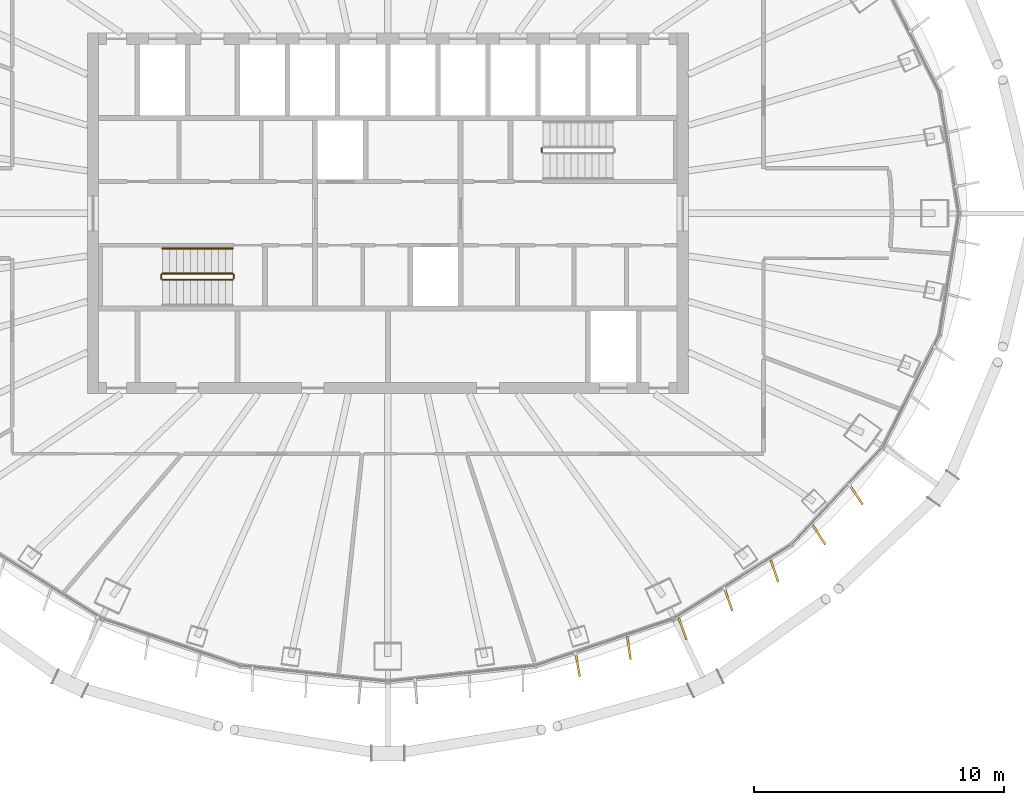
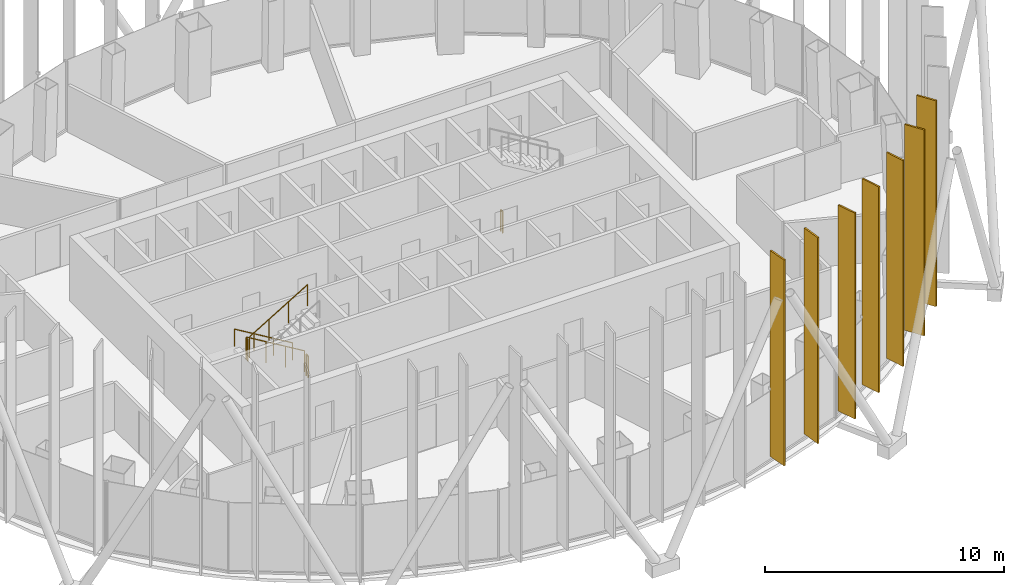
# One storey, part 15 of 17: 7 shading devices, 6 railings.
"""IFC4 building model written with IfcOpenShell, lengths in metres."""

import ifcopenshell
import ifcopenshell.guid

model = None  # the IFC model being written
_history = None  # IfcOwnerHistory: only IFC2X3 demands one
_inside = {}  # id of a spatial element -> (the spatial element, [elements in it])
_under = {}  # id of a project, library or spatial element -> (it, [spatial elements below it])
_declared = {}  # id of a project -> (the project, [libraries it declares])
_typed = {}  # id of a type object -> (the type object, [elements of that type])
_made_of = {}  # id of a material, layer set ... -> (it, [elements and type objects made of it])


def new_model(schema):
    """Start an empty IFC model of exactly this schema.

    Asked for "IFC4X3", IfcOpenShell would pick the latest addendum, in which some entities
    have other attributes; the version numbers below select the first issue.
    IFC2X3 requires an IfcOwnerHistory on every rooted entity: one is made here for all.
    """
    global model, _history
    if schema == "IFC4X3":
        model = ifcopenshell.file(schema_version=(4, 3, 0, 0))
    else:
        model = ifcopenshell.file(schema=schema)
    _inside.clear()
    _under.clear()
    _declared.clear()
    _typed.clear()
    _made_of.clear()
    _history = None
    if model.schema == "IFC2X3":
        org = make("IfcOrganization", Name="unknown")
        user = make(
            "IfcPersonAndOrganization",
            ThePerson=make("IfcPerson", FamilyName="unknown"),
            TheOrganization=org,
        )
        app = make(
            "IfcApplication",
            ApplicationDeveloper=org,
            Version="unknown",
            ApplicationFullName="unknown",
            ApplicationIdentifier="unknown",
        )
        _history = make(
            "IfcOwnerHistory",
            OwningUser=user,
            OwningApplication=app,
            ChangeAction="ADDED",
            CreationDate=0,
        )
    return model


def make(cls, **values):
    """One entity of the class cls with the attributes given. An attribute that is None is left unset."""
    return model.create_entity(
        cls, **{name: value for name, value in values.items() if value is not None}
    )


def rooted(cls, **values):
    """An entity with a GlobalId (a new one), such as an element, a storey or a relation."""
    return make(cls, GlobalId=ifcopenshell.guid.new(), OwnerHistory=_history, **values)


def si_unit(unit_type, name, prefix=None):
    """IfcSIUnit, for example si_unit("LENGTHUNIT", "METRE", prefix="MILLI")."""
    return make("IfcSIUnit", UnitType=unit_type, Prefix=prefix, Name=name)


def assignment(units):
    """IfcUnitAssignment: the units of a project."""
    return None if units is None else make("IfcUnitAssignment", Units=units)


def point(xyz):
    """IfcCartesianPoint."""
    return None if xyz is None else make("IfcCartesianPoint", Coordinates=xyz)


def direction(xyz):
    """IfcDirection."""
    return None if xyz is None else make("IfcDirection", DirectionRatios=xyz)


def frame(location, z_axis=None, x_axis=None):
    """IfcAxis2Placement3D, a coordinate frame: its origin and axes. An axis left out is left unset."""
    return make(
        "IfcAxis2Placement3D",
        Location=point(location),
        Axis=direction(z_axis),
        RefDirection=direction(x_axis),
    )


def frame_2d(location, x_axis=None):
    """IfcAxis2Placement2D, a coordinate frame in the plane: its origin and x axis."""
    return make(
        "IfcAxis2Placement2D", Location=point(location), RefDirection=direction(x_axis)
    )


def origin():
    """The frame at (0, 0, 0) with its axes left unset."""
    return frame((0.0, 0.0, 0.0))


def origin_2d():
    """The frame at (0, 0) in the plane with its x axis left unset."""
    return frame_2d((0.0, 0.0))


def place(relative_to, where):
    """IfcLocalPlacement: puts the frame where relative to a parent placement (None: the world)."""
    return make(
        "IfcLocalPlacement", PlacementRelTo=relative_to, RelativePlacement=where
    )


def context(
    kind, dimensions, precision=None, world=None, true_north=None, identifier=None
):
    """IfcGeometricRepresentationContext, for example the 3D "Model" context."""
    return make(
        "IfcGeometricRepresentationContext",
        ContextIdentifier=identifier,
        ContextType=kind,
        CoordinateSpaceDimension=dimensions,
        Precision=precision,
        WorldCoordinateSystem=world,
        TrueNorth=true_north,
    )


def subcontext(parent, identifier, kind, view, scale=None):
    """IfcGeometricRepresentationSubContext, for example "Body" below "Model"."""
    return make(
        "IfcGeometricRepresentationSubContext",
        ContextIdentifier=identifier,
        ContextType=kind,
        ParentContext=parent,
        TargetScale=scale,
        TargetView=view,
    )


def project(units=None, contexts=None):
    """IfcProject with its units and contexts."""
    return rooted(
        "IfcProject",
        Name="project",
        RepresentationContexts=contexts,
        UnitsInContext=assignment(units),
    )


def spatial(cls, under=None, at=None, **own):
    """A site, building, storey or space (cls), placed at a placement, below another one or the project."""
    s = rooted(cls, ObjectPlacement=at, **own)
    if under is not None:
        _under.setdefault(under.id(), (under, []))[1].append(s)
    return s


def profile(cls, at=None, kind="AREA", **sizes):
    """A parametric profile (cls). Its sizes go by their IFC names, for example OverallWidth=200.0."""
    return make(cls, ProfileType=kind, Position=at, **sizes)


def rectangle(**sizes):
    """IfcRectangleProfileDef."""
    return profile("IfcRectangleProfileDef", **sizes)


def circle(**sizes):
    """IfcCircleProfileDef."""
    return profile("IfcCircleProfileDef", **sizes)


def extrude(swept, where, along, depth):
    """IfcExtrudedAreaSolid: the profile swept, set in the frame where, extruded along a direction by depth."""
    return make(
        "IfcExtrudedAreaSolid",
        SweptArea=swept,
        Position=where,
        ExtrudedDirection=direction(along),
        Depth=depth,
    )


def shape(context_of_items, identifier, shape_type, items):
    """IfcShapeRepresentation: the items that make up one representation, for example the "Body"."""
    return make(
        "IfcShapeRepresentation",
        ContextOfItems=context_of_items,
        RepresentationIdentifier=identifier,
        RepresentationType=shape_type,
        Items=items,
    )


def material(Name=None, Category=None):
    """IfcMaterial."""
    return make("IfcMaterial", Name=Name, Category=Category)


def layer(
    of_material, thickness, ventilated=None, Name=None, Category=None, Priority=None
):
    """IfcMaterialLayer: one layer of a wall or slab, of a material (None: an air gap)."""
    return make(
        "IfcMaterialLayer",
        Material=of_material,
        LayerThickness=thickness,
        IsVentilated=ventilated,
        Name=Name,
        Category=Category,
        Priority=Priority,
    )


def layer_set(layers, Name=None):
    """IfcMaterialLayerSet."""
    return make("IfcMaterialLayerSet", MaterialLayers=layers, LayerSetName=Name)


def made_of(thing, what):
    """Note that an element or type object is made of a material, layer set ...; save() writes the relation."""
    if what is not None:
        _made_of.setdefault(what.id(), (what, []))[1].append(thing)
    return thing


def type_object(cls, material=None, **own):
    """A type object (cls), such as IfcWallType, which elements share."""
    return made_of(rooted(cls, **own), material)


def element(
    cls,
    number,
    at=None,
    inside=None,
    cuts=None,
    type_object=None,
    material=None,
    context=None,
    identifier="Body",
    shape_type=None,
    held_by="IfcProductDefinitionShape",
    body=None,
    shapes=None,
    **own,
):
    """One element of the class cls, such as IfcWall. Its Tag is "e" and its number.

    at: its placement. inside: the storey or other place that contains it. cuts: it is an
    opening in that element (IfcRelVoidsElement). A single representation is given by context,
    identifier, shape_type and body (its items); several are given by shapes. held_by: the class
    of the entity that holds the representations. save() writes the other relations.
    """
    e = rooted(cls, Tag="e%d" % number, ObjectPlacement=at, **own)
    if body is not None:
        shapes = [shape(context, identifier, shape_type, body)]
    if shapes is not None:
        e.Representation = make(held_by, Representations=shapes)
    if inside is not None:
        _inside.setdefault(inside.id(), (inside, []))[1].append(e)
    if cuts is not None:
        rooted(
            "IfcRelVoidsElement", RelatingBuildingElement=cuts, RelatedOpeningElement=e
        )
    if type_object is not None:
        _typed.setdefault(type_object.id(), (type_object, []))[1].append(e)
    return made_of(e, material)


def aggregate(whole, parts):
    """IfcRelAggregates: a whole, such as a stair, and the parts it consists of."""
    return rooted("IfcRelAggregates", RelatingObject=whole, RelatedObjects=parts)


def save(model, path):
    """Write the relations noted so far, then the file.

    IfcRelAggregates (storeys below a building ...), IfcRelContainedInSpatialStructure (elements
    in a storey), IfcRelDefinesByType, IfcRelAssociatesMaterial and IfcRelDeclares: one each for
    every whole, place, type object, material and project.
    """
    for whole, parts in _under.values():
        aggregate(whole, parts)
    for where, things in _inside.values():
        rooted(
            "IfcRelContainedInSpatialStructure",
            RelatedElements=things,
            RelatingStructure=where,
        )
    for kind, things in _typed.values():
        rooted("IfcRelDefinesByType", RelatedObjects=things, RelatingType=kind)
    for what, things in _made_of.values():
        rooted("IfcRelAssociatesMaterial", RelatedObjects=things, RelatingMaterial=what)
    for by, libraries in _declared.values():
        rooted("IfcRelDeclares", RelatingContext=by, RelatedDefinitions=libraries)
    model.write(path)


model = new_model("IFC4")

# Units and contexts
model_context = context("Model", 3, precision=1e-05, world=origin(), true_north=direction((0.0, 1.0)))
body_context = subcontext(model_context, "Body", "Model", "MODEL_VIEW")
ifc_project = project(units=[si_unit("LENGTHUNIT", "METRE"), si_unit("AREAUNIT", "SQUARE_METRE"), si_unit("VOLUMEUNIT", "CUBIC_METRE"), si_unit("PLANEANGLEUNIT", "RADIAN"), si_unit("MASSUNIT", "GRAM", prefix="KILO")], contexts=[model_context])

# Site, building, storey
site_placement = place(None, origin())
site = spatial("IfcSite", under=ifc_project, at=site_placement, CompositionType="ELEMENT")
building_placement = place(site_placement, origin())
building = spatial("IfcBuilding", under=site, at=building_placement, Name="Siaravel Broadcast Tower", CompositionType="ELEMENT")
storey_placement = place(building_placement, frame((0.0, 0.0, 190.39990234375)))
storey = spatial("IfcBuildingStorey", under=building, at=storey_placement, Name="L46", CompositionType="ELEMENT", Elevation=190.39990234375)

# Shading devices
ifc_material_1 = material(Name="Bronze anodised aluminium", Category="aluminium")
ifc_layer = layer(ifc_material_1, 0.080078125)
ifc_layer_set = layer_set([ifc_layer], Name="Bronze anodised aluminium")
shading_device_type = type_object("IfcShadingDeviceType", Name="Bronze fin zone 3", PredefinedType="USERDEFINED", material=ifc_layer_set)
for number, where, z_axis, x_axis, name in (
    (1, (7.58544921875, -18.048095703125, 0.300048828125), (0.0, 0.0, 1.0), (0.17393865, -0.984756491, 0.0), "Bronze fin L46-49"),
    (2, (9.626708984375, -17.3525390625, 0.300048828125), (0.0, 0.0, 1.0), (0.13996291, -0.990156747, 0.0), "Bronze fin L46-50"),
    (3, (11.772216796875, -16.580810546875, 0.300048828125), (0.0, 0.0, 1.0), (0.340405808, -0.940278621, 0.0), "Bronze fin L46-51"),
    (4, (13.602783203125, -15.427734375, 0.300048828125), (0.0, 0.0, 1.0), (0.321989762, -0.946743151, 0.0), "Bronze fin L46-52"),
    (5, (15.4375, -14.273193359375, 0.300048828125), (0.0, 0.0, 1.0), (0.312613451, -0.949880429, 0.0), "Bronze fin L46-53"),
    (6, (17.212646484375, -12.828125, 0.300048828125), (0.0, 0.0, 1.0), (0.543999215, -0.839085725, 0.0), "Bronze fin L46-54"),
    (7, (18.7021484375, -11.239990234375, 0.300048828125), (0.0, 0.0, 1.0), (0.553529645, -0.832829473, 0.0), "Bronze fin L46-55"),
):
    element("IfcShadingDevice", number, at=place(storey_placement, frame(where, z_axis=z_axis, x_axis=x_axis)), inside=storey, type_object=shading_device_type, Name=name, ObjectType="FIN", PredefinedType="USERDEFINED", context=body_context, shape_type="SweptSolid", body=[
        extrude(rectangle(XDim=0.919921875, YDim=0.080078125, at=origin_2d()), origin(), (0.0, 0.0, 1.0), 10.5),
    ])

# Railings
ifc_material_2 = material(Name="Stainless steel 316L", Category="steel")
railing_type_1 = type_object("IfcRailingType", Name="Stair guard 1100", PredefinedType="GUARDRAIL", material=ifc_material_2)
railing_1_placement = place(storey_placement, frame((-6.199951171875, -2.39990234375, 0.168212890625)))
element("IfcRailing", 8, at=railing_1_placement, inside=storey, type_object=railing_type_1, Name="L46 ST-1 stair guard 1", PredefinedType="GUARDRAIL", context=body_context, shape_type="SweptSolid", body=[
    extrude(circle(Radius=0.02392578125, at=origin_2d()), frame((0.0, 0.0, 1.076171875), z_axis=(-0.857242211, 0.0, 0.514913383), x_axis=(0.0, -1.0, 0.0)), (0.0, 0.0, 1.0), 3.266357421875),
    extrude(circle(Radius=0.02099609375, at=origin_2d()), origin(), (0.0, 0.0, 1.0), 1.052001953125),
    extrude(circle(Radius=0.02099609375, at=origin_2d()), frame((-0.933349609375, 0.0, 0.560546875)), (0.0, 0.0, 1.0), 1.052001953125),
    extrude(circle(Radius=0.02099609375, at=origin_2d()), frame((-1.86669921875, 0.0, 1.121337890625)), (0.0, 0.0, 1.0), 1.052001953125),
    extrude(circle(Radius=0.02099609375, at=origin_2d()), frame((-2.800048828125, 0.0, 1.681884765625)), (0.0, 0.0, 1.0), 1.052001953125),
])
railing_2_placement = place(storey_placement, frame((-9.050048828125, -2.449951171875, 1.85009765625)))
element("IfcRailing", 9, at=railing_2_placement, inside=storey, type_object=railing_type_1, Name="L46 ST-1 stair guard 2", PredefinedType="GUARDRAIL", context=body_context, shape_type="SweptSolid", body=[
    extrude(circle(Radius=0.02392578125, at=origin_2d()), frame((0.0, 0.0, 1.076171875), z_axis=(0.0, -1.0, 0.0), x_axis=(1.0, 0.0, 0.0)), (0.0, 0.0, 1.0), 0.150146484375),
    extrude(circle(Radius=0.02099609375, at=origin_2d()), origin(), (0.0, 0.0, 1.0), 1.052001953125),
    extrude(circle(Radius=0.02099609375, at=origin_2d()), frame((0.0, -0.150146484375, 0.0)), (0.0, 0.0, 1.0), 1.052001953125),
])
railing_3_placement = place(storey_placement, frame((-9.0, -2.64990234375, 2.018310546875)))
element("IfcRailing", 10, at=railing_3_placement, inside=storey, type_object=railing_type_1, Name="L46 ST-1 stair guard 3", PredefinedType="GUARDRAIL", context=body_context, shape_type="SweptSolid", body=[
    extrude(circle(Radius=0.02392578125, at=origin_2d()), frame((0.0, 0.0, 1.076171875), z_axis=(0.857242211, 0.0, 0.514913383), x_axis=(0.0, 1.0, 0.0)), (0.0, 0.0, 1.0), 3.266357421875),
    extrude(circle(Radius=0.02099609375, at=origin_2d()), origin(), (0.0, 0.0, 1.0), 1.052001953125),
    extrude(circle(Radius=0.02099609375, at=origin_2d()), frame((0.933349609375, 0.0, 0.560546875)), (0.0, 0.0, 1.0), 1.052001953125),
    extrude(circle(Radius=0.02099609375, at=origin_2d()), frame((1.86669921875, 0.0, 1.121337890625)), (0.0, 0.0, 1.0), 1.052001953125),
    extrude(circle(Radius=0.02099609375, at=origin_2d()), frame((2.800048828125, 0.0, 1.681884765625)), (0.0, 0.0, 1.0), 1.052001953125),
])
railing_4_placement = place(storey_placement, frame((-6.14990234375, -2.449951171875, 0.0)))
element("IfcRailing", 11, at=railing_4_placement, inside=storey, type_object=railing_type_1, Name="L46 ST-1 stair guard 4", PredefinedType="GUARDRAIL", context=body_context, shape_type="SweptSolid", body=[
    extrude(circle(Radius=0.02392578125, at=origin_2d()), frame((0.0, 0.0, 1.076171875), z_axis=(0.0, -1.0, 0.0), x_axis=(1.0, 0.0, 0.0)), (0.0, 0.0, 1.0), 0.150146484375),
    extrude(circle(Radius=0.02099609375, at=origin_2d()), origin(), (0.0, 0.0, 1.0), 1.052001953125),
    extrude(circle(Radius=0.02099609375, at=origin_2d()), frame((0.0, -0.150146484375, 0.0)), (0.0, 0.0, 1.0), 1.052001953125),
])
railing_5_placement = place(storey_placement, frame((6.14990234375, 2.449951171875, 0.0)))
element("IfcRailing", 12, at=railing_5_placement, inside=storey, type_object=railing_type_1, Name="L46 ST-2 stair guard 4", PredefinedType="GUARDRAIL", context=body_context, shape_type="SweptSolid", body=[
    extrude(circle(Radius=0.02392578125, at=origin_2d()), frame((0.0, 0.0, 1.076171875), z_axis=(0.0, 1.0, 0.0), x_axis=(-1.0, 0.0, 0.0)), (0.0, 0.0, 1.0), 0.150146484375),
    extrude(circle(Radius=0.02099609375, at=origin_2d()), origin(), (0.0, 0.0, 1.0), 1.052001953125),
    extrude(circle(Radius=0.02099609375, at=origin_2d()), frame((0.0, 0.150146484375, 0.0)), (0.0, 0.0, 1.0), 1.052001953125),
])
railing_type_2 = type_object("IfcRailingType", Name="Stair handrail 900", PredefinedType="HANDRAIL", material=ifc_material_2)
railing_6_placement = place(storey_placement, frame((-6.199951171875, -1.39990234375, 0.168212890625)))
element("IfcRailing", 13, at=railing_6_placement, inside=storey, type_object=railing_type_2, Name="L46 ST-1 stair handrail 1", PredefinedType="HANDRAIL", context=body_context, shape_type="SweptSolid", body=[
    extrude(circle(Radius=0.02392578125, at=origin_2d()), frame((0.0, 0.0, 0.8759765625), z_axis=(-0.857242211, 0.0, 0.514913383), x_axis=(0.0, -1.0, 0.0)), (0.0, 0.0, 1.0), 3.266357421875),
    extrude(circle(Radius=0.02099609375, at=origin_2d()), origin(), (0.0, 0.0, 1.0), 0.851806640625),
    extrude(circle(Radius=0.02099609375, at=origin_2d()), frame((-0.933349609375, 0.0, 0.560546875)), (0.0, 0.0, 1.0), 0.851806640625),
    extrude(circle(Radius=0.02099609375, at=origin_2d()), frame((-1.86669921875, 0.0, 1.121337890625)), (0.0, 0.0, 1.0), 0.851806640625),
    extrude(circle(Radius=0.02099609375, at=origin_2d()), frame((-2.800048828125, 0.0, 1.681884765625)), (0.0, 0.0, 1.0), 0.851806640625),
])

save(model, "model.ifc")
